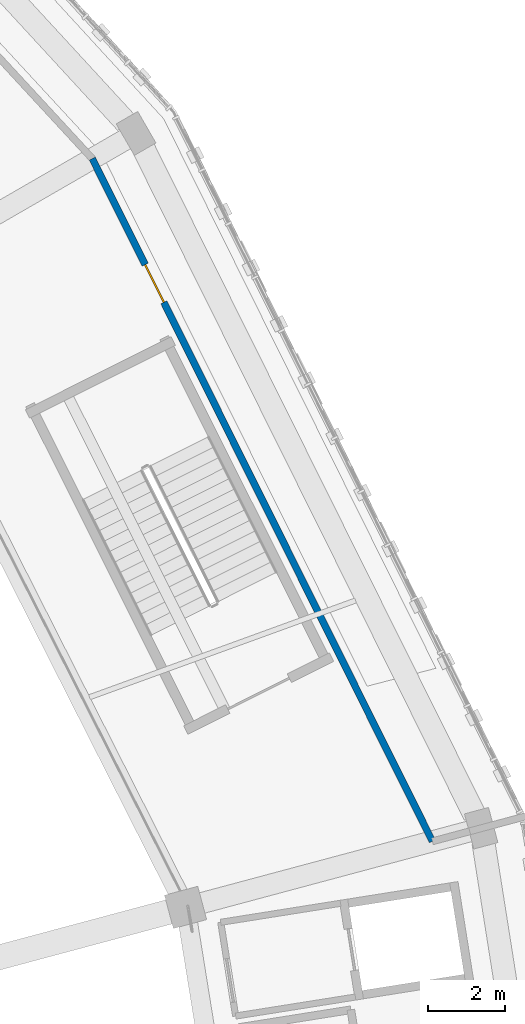
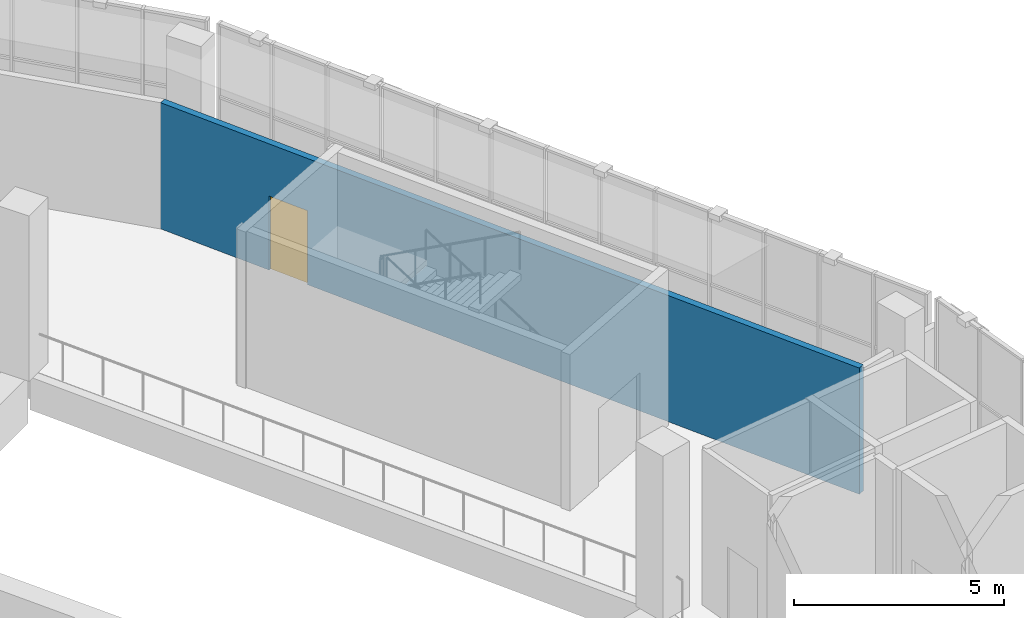
# One storey, part 71 of 108: 1 door, 1 wall, 1 opening.
"""IFC4 building model written with IfcOpenShell, lengths in metres."""

from ifc_helpers import new_model, si_unit, direction, frame, frame_2d, origin, place, context, subcontext, project, spatial, rectangle, extrude, material, layer, layer_set, type_object, element, fill, save


model = new_model("IFC4")

# Units and contexts
model_context = context("Model", 3, precision=1e-05, world=origin(), true_north=direction((0.0, 1.0)))
body_context = subcontext(model_context, "Body", "Model", "MODEL_VIEW")
ifc_project = project(units=[si_unit("LENGTHUNIT", "METRE"), si_unit("AREAUNIT", "SQUARE_METRE"), si_unit("VOLUMEUNIT", "CUBIC_METRE"), si_unit("PLANEANGLEUNIT", "RADIAN"), si_unit("MASSUNIT", "GRAM", prefix="KILO")], contexts=[model_context])

# Site, building, storey
site_placement = place(None, origin())
site = spatial("IfcSite", under=ifc_project, at=site_placement, CompositionType="ELEMENT")
building_placement = place(site_placement, origin())
building = spatial("IfcBuilding", under=site, at=building_placement, Name="Zevraka Park Crest Stadium", CompositionType="ELEMENT")
storey_placement = place(building_placement, frame((0.0, 0.0, 19.800048828125)))
storey = spatial("IfcBuildingStorey", under=building, at=storey_placement, Name="L04", CompositionType="ELEMENT", Elevation=19.800048828125)

# Wall, opening, door
ifc_material_1 = material(Name="Fire-rated twin-stud acoustic drywall", Category="other")
ifc_layer = layer(ifc_material_1, 0.179931640625)
ifc_layer_set = layer_set([ifc_layer], Name="Fire-rated twin-stud acoustic drywall")
wall_type = type_object("IfcWallType", Name="IW06", PredefinedType="PARTITIONING", material=ifc_layer_set)
wall_placement = place(storey_placement, frame((197.947998046875, 111.14697265625, 0.0), z_axis=(0.0, 0.0, 1.0), x_axis=(-0.44590512567, 0.895080230427, 0.0)))
wall = element("IfcWall", 1, at=wall_placement, inside=storey, type_object=wall_type, Name="Interior Partition IW06 Presidential Banquet Lounge L04", PredefinedType="PARTITIONING", context=body_context, shape_type="SweptSolid", body=[
    extrude(rectangle(XDim=19.9345703125, YDim=0.179931640625, at=frame_2d((9.96728515625, 0.0))), origin(), (0.0, 0.0, 1.0), 3.6650390625),
])
opening_placement = place(wall_placement, frame((15.739990234375, 0.0, 0.0)))
opening = element("IfcOpeningElement", 2, at=opening_placement, cuts=wall, Name="Opening D-L04-472", PredefinedType="OPENING", context=body_context, shape_type="SweptSolid", body=[
    extrude(rectangle(XDim=1.10009765625, YDim=2.14990234375, at=frame_2d((0.550048828125, 1.074951171875))), frame((0.0, 0.099853515625, 0.0), z_axis=(0.0, -1.0, 0.0), x_axis=(1.0, 0.0, 0.0)), (0.0, 0.0, 1.0), 0.199951171875),
])
ifc_material_2 = material(Name="Solid-core hardwood timber leaf in steel frame", Category="steel")
door_type = type_object("IfcDoorType", Name="DR10", OperationType="NOTDEFINED", PredefinedType="DOOR", material=ifc_material_2)
door_placement = place(opening_placement, origin())
door = element("IfcDoor", 3, at=door_placement, inside=storey, type_object=door_type, Name="Presidential Banquet Lounge Door D-L04-472", OperationType="SINGLE_SWING_LEFT", OverallHeight=2.14990234375, OverallWidth=1.10009765625, PredefinedType="DOOR", context=body_context, shape_type="SweptSolid", body=[
    extrude(rectangle(XDim=1.10009765625, YDim=2.14990234375, at=frame_2d((0.550048828125, 1.074951171875))), frame((0.0, 0.02490234375, 0.0), z_axis=(0.0, -1.0, 0.0), x_axis=(1.0, 0.0, 0.0)), (0.0, 0.0, 1.0), 0.050048828125),
])
fill(opening, door)

save(model, "model.ifc")
